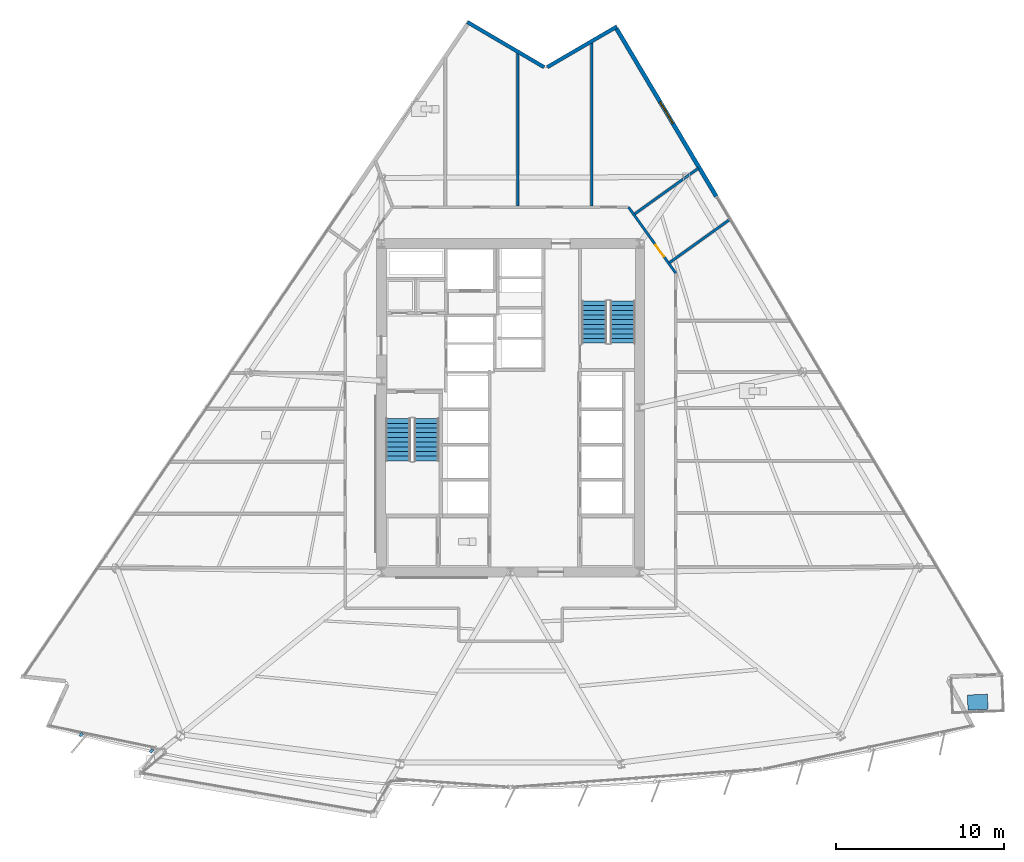
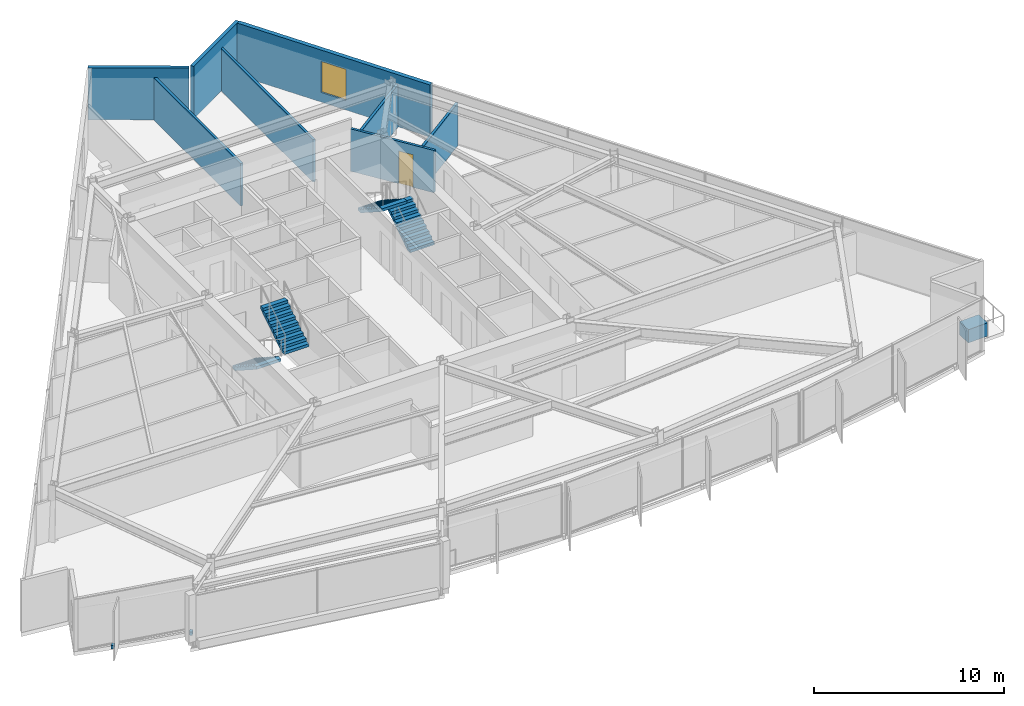
# One storey, part 11 of 17: 8 walls, 4 stair flights, 3 discrete accessories, 1 door, 1 window, 2 openings, 2 elements without a shape of their own.
"""IFC4 building model written with IfcOpenShell, lengths in metres."""

from ifc_helpers import new_model, si_unit, direction, frame, frame_2d, origin, origin_2d, place, context, subcontext, project, spatial, polyline, rectangle, outline, extrude, material, layer, layer_set, type_object, element, fill, aggregate, save


model = new_model("IFC4")

# Units and contexts
model_context = context("Model", 3, precision=1e-05, world=origin(), true_north=direction((0.0, 1.0)))
body_context = subcontext(model_context, "Body", "Model", "MODEL_VIEW")
ifc_project = project(units=[si_unit("LENGTHUNIT", "METRE"), si_unit("AREAUNIT", "SQUARE_METRE"), si_unit("VOLUMEUNIT", "CUBIC_METRE"), si_unit("PLANEANGLEUNIT", "RADIAN"), si_unit("MASSUNIT", "GRAM", prefix="KILO")], contexts=[model_context])

# Site, building, storey
site_placement = place(None, origin())
site = spatial("IfcSite", under=ifc_project, at=site_placement, CompositionType="ELEMENT")
building_placement = place(site_placement, origin())
building = spatial("IfcBuilding", under=site, at=building_placement, Name="Savorim Split Tower", CompositionType="ELEMENT")
storey_placement = place(building_placement, frame((0.0, 0.0, 58.800048828125)))
storey = spatial("IfcBuildingStorey", under=building, at=storey_placement, Name="L15", CompositionType="ELEMENT", Elevation=58.800048828125)

# Walls
ifc_material_1 = material(Name="Precast concrete C40/50", Category="concrete")
ifc_layer_1 = layer(ifc_material_1, 0.219970703125)
ifc_layer_set_1 = layer_set([ifc_layer_1], Name="WAL-EXT-CRN220")
wall_type_1 = type_object("IfcWallType", Name="WAL-EXT-CRN220", PredefinedType="SOLIDWALL", material=ifc_layer_set_1)
wall_1_placement = place(storey_placement, frame((2.193359375, 20.71337890625, 0.0), z_axis=(0.0, 0.0, 1.0), x_axis=(0.863964978951, 0.503551899159, 0.0)))
element("IfcWall", 1, at=wall_1_placement, inside=storey, type_object=wall_type_1, Name="L15 Notched Corner Facade Wall NE1", PredefinedType="SOLIDWALL", context=body_context, shape_type="SweptSolid", body=[
    extrude(rectangle(XDim=4.8046875, YDim=0.219970703125, at=frame_2d((2.40234375, 0.0))), origin(), (0.0, 0.0, 1.0), 3.349853515625),
])
wall_2_placement = place(storey_placement, frame((-2.572265625, 23.40283203125, 0.0), z_axis=(0.0, 0.0, 1.0), x_axis=(0.862137551275, -0.506674296449, 0.0)))
element("IfcWall", 2, at=wall_2_placement, inside=storey, type_object=wall_type_1, Name="L15 Notched Corner Facade Wall N", PredefinedType="SOLIDWALL", context=body_context, shape_type="SweptSolid", body=[
    extrude(rectangle(XDim=5.30712890625, YDim=0.219970703125, at=frame_2d((2.653564453125, 0.0))), origin(), (0.0, 0.0, 1.0), 3.349853515625),
])

# Wall, opening, window
ifc_layer_2 = layer(ifc_material_1, 0.25)
ifc_layer_set_2 = layer_set([ifc_layer_2], Name="WAL-EXT-SPN250")
wall_type_2 = type_object("IfcWallType", Name="WAL-EXT-SPN250", PredefinedType="SOLIDWALL", material=ifc_layer_set_2)
wall_3_placement = place(storey_placement, frame((6.327880859375, 23.006103515625, 0.0), z_axis=(0.0, 0.0, 1.0), x_axis=(0.511075811474, -0.859535639125, 0.0)))
wall_3 = element("IfcWall", 3, at=wall_3_placement, inside=storey, type_object=wall_type_2, Name="L15 East Operable Window Pier", PredefinedType="SOLIDWALL", context=body_context, shape_type="SweptSolid", body=[
    extrude(rectangle(XDim=11.645751953125, YDim=0.25, at=frame_2d((5.82275390625, 0.0))), origin(), (0.0, 0.0, 1.0), 3.349853515625),
])
opening_1_placement = place(wall_3_placement, frame((5.072998046875, 0.0, 0.6201171875)))
opening_1 = element("IfcOpeningElement", 4, at=opening_1_placement, cuts=wall_3, Name="Opening WN-06", PredefinedType="OPENING", context=body_context, shape_type="SweptSolid", body=[
    extrude(rectangle(XDim=1.5, YDim=2.0, at=frame_2d((0.75, 1.0))), frame((0.0, 0.135009765625, 0.0), z_axis=(0.0, -1.0, 0.0), x_axis=(1.0, 0.0, 0.0)), (0.0, 0.0, 1.0), 0.27001953125),
])
ifc_material_2 = material(Name="Low-E Operable Double Glazing", Category="glass")
window_type = type_object("IfcWindowType", Name="WIN-TWR-1500x2000", PartitioningType="SINGLE_PANEL", PredefinedType="WINDOW", material=ifc_material_2)
window_placement = place(opening_1_placement, origin())
window = element("IfcWindow", 5, at=window_placement, inside=storey, type_object=window_type, Name="L15 East Operable Ventilation Window", OverallHeight=2.0, OverallWidth=1.5, PartitioningType="SINGLE_PANEL", PredefinedType="WINDOW", context=body_context, shape_type="SweptSolid", body=[
    extrude(rectangle(XDim=1.5, YDim=2.0, at=frame_2d((0.75, 1.0))), frame((0.0, 0.030029296875, 0.0), z_axis=(0.0, -1.0, 0.0), x_axis=(1.0, 0.0, 0.0)), (0.0, 0.0, 1.0), 0.06005859375),
])
fill(opening_1, window)

# Wall, opening, door
ifc_material_3 = material(Name="Acoustic Gypsum Partition Board")
ifc_layer_3 = layer(ifc_material_3, 0.14990234375)
ifc_layer_set_3 = layer_set([ifc_layer_3], Name="WAL-PAR-150")
wall_type_3 = type_object("IfcWallType", Name="WAL-PAR-150", PredefinedType="PARTITIONING", material=ifc_layer_set_3)
wall_4_placement = place(storey_placement, frame((7.041015625, 12.360107421875, 0.0), z_axis=(0.0, 0.0, 1.0), x_axis=(0.582449511476, -0.812866881218, 0.0)))
wall_4 = element("IfcWall", 6, at=wall_4_placement, inside=storey, type_object=wall_type_3, Name="L15 Partition W-L15-COR-04", PredefinedType="PARTITIONING", context=body_context, shape_type="SweptSolid", body=[
    extrude(rectangle(XDim=4.840087890625, YDim=0.14990234375, at=frame_2d((2.419921875, 0.0))), origin(), (0.0, 0.0, 1.0), 2.724853515625),
])
opening_2_placement = place(wall_4_placement, frame((2.775390625, 0.0, 0.0)))
opening_2 = element("IfcOpeningElement", 7, at=opening_2_placement, cuts=wall_4, Name="Opening DI-13", PredefinedType="OPENING", context=body_context, shape_type="SweptSolid", body=[
    extrude(rectangle(XDim=0.85009765625, YDim=2.10009765625, at=frame_2d((0.425048828125, 1.050048828125))), frame((0.0, 0.0849609375, 0.0), z_axis=(0.0, -1.0, 0.0), x_axis=(1.0, 0.0, 0.0)), (0.0, 0.0, 1.0), 0.169921875),
])
ifc_material_4 = material(Name="Timber Fire Door Leaf", Category="wood")
door_type = type_object("IfcDoorType", Name="DOR-FIR-850", OperationType="NOTDEFINED", PredefinedType="DOOR", material=ifc_material_4)
door_placement = place(opening_2_placement, origin())
door = element("IfcDoor", 8, at=door_placement, inside=storey, type_object=door_type, Name="DR-L15-RM11 - L15 Maker Workshop Entry Door", OperationType="SINGLE_SWING_RIGHT", OverallHeight=2.10009765625, OverallWidth=0.85009765625, PredefinedType="DOOR", context=body_context, shape_type="SweptSolid", body=[
    extrude(rectangle(XDim=0.85009765625, YDim=2.10009765625, at=frame_2d((0.425048828125, 1.050048828125))), frame((0.0, 0.02490234375, 0.0), z_axis=(0.0, -1.0, 0.0), x_axis=(1.0, 0.0, 0.0)), (0.0, 0.0, 1.0), 0.050048828125),
])
fill(opening_2, door)

# Walls
wall_5_placement = place(storey_placement, frame((7.404052734375, 11.95654296875, 0.0), z_axis=(0.0, 0.0, 1.0), x_axis=(0.812874232522, 0.582439251856, 0.0)))
element("IfcWall", 9, at=wall_5_placement, inside=storey, type_object=wall_type_3, Name="L15 Partition W-L15-PRAD07", PredefinedType="PARTITIONING", context=body_context, shape_type="SweptSolid", body=[
    extrude(rectangle(XDim=4.689208984375, YDim=0.14990234375, at=frame_2d((2.3447265625, 0.0))), origin(), (0.0, 0.0, 1.0), 2.724853515625),
])
wall_6_placement = place(storey_placement, frame((9.484619140625, 9.052490234375, 0.0), z_axis=(0.0, 0.0, 1.0), x_axis=(0.812874691843, 0.582438610809, 0.0)))
element("IfcWall", 10, at=wall_6_placement, inside=storey, type_object=wall_type_3, Name="L15 Partition W-L15-SUB03", PredefinedType="PARTITIONING", context=body_context, shape_type="SweptSolid", body=[
    extrude(rectangle(XDim=4.384033203125, YDim=0.14990234375, at=frame_2d((2.19189453125, 0.0))), origin(), (0.0, 0.0, 1.0), 2.73486328125),
])
wall_7_placement = place(storey_placement, frame((0.4326171875, 12.419921875, 0.0), z_axis=(0.0, 0.0, 1.0), x_axis=(0.0, 1.0, 0.0)))
element("IfcWall", 11, at=wall_7_placement, inside=storey, type_object=wall_type_3, Name="L15 Partition W-L15-SUB04", PredefinedType="PARTITIONING", context=body_context, shape_type="SweptSolid", body=[
    extrude(rectangle(XDim=9.158935546875, YDim=0.14990234375, at=frame_2d((4.57958984375, 0.0))), origin(), (0.0, 0.0, 1.0), 2.73486328125),
])
wall_8_placement = place(storey_placement, frame((4.83642578125, 12.419921875, 0.0), z_axis=(0.0, 0.0, 1.0), x_axis=(0.0, 1.0, 0.0)))
element("IfcWall", 12, at=wall_8_placement, inside=storey, type_object=wall_type_3, Name="L15 Partition W-L15-SUB11", PredefinedType="PARTITIONING", context=body_context, shape_type="SweptSolid", body=[
    extrude(rectangle(XDim=9.776123046875, YDim=0.14990234375, at=frame_2d((4.88818359375, 0.0))), origin(), (0.0, 0.0, 1.0), 2.73486328125),
])

# Stair, stair flights
ifc_material_5 = material(Name="Concrete C50/60", Category="concrete")
stair_type = type_object("IfcStairType", Name="STR-DOG-3600", PredefinedType="HALF_TURN_STAIR", material=ifc_material_5)
stair_1_placement = place(storey_placement, origin())
stair_1 = element("IfcStair", 13, at=stair_1_placement, inside=storey, type_object=stair_type, Name="L15 Core Protected Exit Stair ST-1", PredefinedType="HALF_TURN_STAIR")
stair_flight_type = type_object("IfcStairFlightType", Name="SFL-DOG-3600", PredefinedType="STRAIGHT", material=ifc_material_5)
stair_flight_1_placement = place(storey_placement, frame((-6.699951171875, -0.25, 0.0), z_axis=(0.0, 0.0, 1.0), x_axis=(0.0, -1.0, 0.0)))
stair_flight_1 = element("IfcStairFlight", 14, at=stair_flight_1_placement, type_object=stair_flight_type, Name="ST-1 flight 1", NumberOfRisers=10, NumberOfTreads=9, PredefinedType="STRAIGHT", RiserHeight=0.18, TreadLength=0.28, context=body_context, shape_type="SweptSolid", body=[
    extrude(outline(polyline([(0.0, 0.0), (0.0, 0.179931640625), (0.280029296875, 0.179931640625), (0.280029296875, 0.360107421875), (0.56005859375, 0.360107421875), (0.56005859375, 0.5400390625), (0.840087890625, 0.5400390625), (0.840087890625, 0.719970703125), (1.1201171875, 0.719970703125), (1.1201171875, 0.89990234375), (1.39990234375, 0.89990234375), (1.39990234375, 1.080078125), (1.679931640625, 1.080078125), (1.679931640625, 1.260009765625), (1.9599609375, 1.260009765625), (1.9599609375, 1.43994140625), (2.239990234375, 1.43994140625), (2.239990234375, 1.6201171875), (2.52001953125, 1.6201171875), (2.52001953125, 1.800048828125), (2.52001953125, 1.44189453125), (0.277099609375, 0.0), (0.0, 0.0)])), frame((0.0, 0.75, 0.0), z_axis=(0.0, -1.0, 0.0), x_axis=(1.0, 0.0, 0.0)), (0.0, 0.0, 1.0), 1.5),
])
stair_flight_2_placement = place(storey_placement, frame((-5.0, -2.77001953125, 1.800048828125), z_axis=(0.0, 0.0, 1.0), x_axis=(0.0, 1.0, 0.0)))
stair_flight_2 = element("IfcStairFlight", 15, at=stair_flight_2_placement, type_object=stair_flight_type, Name="ST-1 flight 2", NumberOfRisers=10, NumberOfTreads=9, PredefinedType="STRAIGHT", RiserHeight=0.18, TreadLength=0.28, context=body_context, shape_type="SweptSolid", body=[
    extrude(outline(polyline([(0.0, 0.0), (0.0, 0.179931640625), (0.280029296875, 0.179931640625), (0.280029296875, 0.360107421875), (0.56005859375, 0.360107421875), (0.56005859375, 0.5400390625), (0.840087890625, 0.5400390625), (0.840087890625, 0.719970703125), (1.1201171875, 0.719970703125), (1.1201171875, 0.89990234375), (1.39990234375, 0.89990234375), (1.39990234375, 1.080078125), (1.679931640625, 1.080078125), (1.679931640625, 1.260009765625), (1.9599609375, 1.260009765625), (1.9599609375, 1.43994140625), (2.239990234375, 1.43994140625), (2.239990234375, 1.6201171875), (2.52001953125, 1.6201171875), (2.52001953125, 1.800048828125), (2.52001953125, 1.44189453125), (0.277099609375, 0.0), (0.0, 0.0)])), frame((0.0, 0.75, 0.0), z_axis=(0.0, -1.0, 0.0), x_axis=(1.0, 0.0, 0.0)), (0.0, 0.0, 1.0), 1.5),
])
aggregate(stair_1, [stair_flight_1, stair_flight_2])

stair_2_placement = place(storey_placement, origin())
stair_2 = element("IfcStair", 16, at=stair_2_placement, inside=storey, type_object=stair_type, Name="L15 Core Protected Exit Stair ST-2", PredefinedType="HALF_TURN_STAIR")
stair_flight_3_placement = place(storey_placement, frame((6.699951171875, 4.25, 0.0), z_axis=(0.0, 0.0, 1.0), x_axis=(0.0, 1.0, 0.0)))
stair_flight_3 = element("IfcStairFlight", 17, at=stair_flight_3_placement, type_object=stair_flight_type, Name="ST-2 flight 1", NumberOfRisers=10, NumberOfTreads=9, PredefinedType="STRAIGHT", RiserHeight=0.18, TreadLength=0.28, context=body_context, shape_type="SweptSolid", body=[
    extrude(outline(polyline([(0.0, 0.0), (0.0, 0.179931640625), (0.280029296875, 0.179931640625), (0.280029296875, 0.360107421875), (0.56005859375, 0.360107421875), (0.56005859375, 0.5400390625), (0.840087890625, 0.5400390625), (0.840087890625, 0.719970703125), (1.1201171875, 0.719970703125), (1.1201171875, 0.89990234375), (1.39990234375, 0.89990234375), (1.39990234375, 1.080078125), (1.679931640625, 1.080078125), (1.679931640625, 1.260009765625), (1.9599609375, 1.260009765625), (1.9599609375, 1.43994140625), (2.239990234375, 1.43994140625), (2.239990234375, 1.6201171875), (2.52001953125, 1.6201171875), (2.52001953125, 1.800048828125), (2.52001953125, 1.44189453125), (0.277099609375, 0.0), (0.0, 0.0)])), frame((0.0, 0.75, 0.0), z_axis=(0.0, -1.0, 0.0), x_axis=(1.0, 0.0, 0.0)), (0.0, 0.0, 1.0), 1.5),
])
stair_flight_4_placement = place(storey_placement, frame((5.0, 6.77001953125, 1.800048828125), z_axis=(0.0, 0.0, 1.0), x_axis=(0.0, -1.0, 0.0)))
stair_flight_4 = element("IfcStairFlight", 18, at=stair_flight_4_placement, type_object=stair_flight_type, Name="ST-2 flight 2", NumberOfRisers=10, NumberOfTreads=9, PredefinedType="STRAIGHT", RiserHeight=0.18, TreadLength=0.28, context=body_context, shape_type="SweptSolid", body=[
    extrude(outline(polyline([(0.0, 0.0), (0.0, 0.179931640625), (0.280029296875, 0.179931640625), (0.280029296875, 0.360107421875), (0.56005859375, 0.360107421875), (0.56005859375, 0.5400390625), (0.840087890625, 0.5400390625), (0.840087890625, 0.719970703125), (1.1201171875, 0.719970703125), (1.1201171875, 0.89990234375), (1.39990234375, 0.89990234375), (1.39990234375, 1.080078125), (1.679931640625, 1.080078125), (1.679931640625, 1.260009765625), (1.9599609375, 1.260009765625), (1.9599609375, 1.43994140625), (2.239990234375, 1.43994140625), (2.239990234375, 1.6201171875), (2.52001953125, 1.6201171875), (2.52001953125, 1.800048828125), (2.52001953125, 1.44189453125), (0.277099609375, 0.0), (0.0, 0.0)])), frame((0.0, 0.75, 0.0), z_axis=(0.0, -1.0, 0.0), x_axis=(1.0, 0.0, 0.0)), (0.0, 0.0, 1.0), 1.5),
])
aggregate(stair_2, [stair_flight_3, stair_flight_4])

# Discrete accessories
ifc_material_6 = material(Name="Steel S355", Category="steel")
discrete_accessory_type_1 = type_object("IfcDiscreteAccessoryType", Name="ACC-BRK-FIN", PredefinedType="BRACKET", material=ifc_material_6)
for number, where, z_axis, x_axis, name in (
    (19, (-25.611572265625, -19.10986328125, -0.18994140625), (0.0, 0.0, 1.0), (-0.643719022682, -0.765261928909, 0.0), "L15 Fin Slab-Edge Cleat Bracket 01"),
    (20, (-21.408935546875, -20.072265625, -0.18994140625), (0.0, 0.0, 1.0), (-0.611868076908, -0.790959832394, 0.0), "L15 Fin Slab-Edge Cleat Bracket 02"),
):
    element("IfcDiscreteAccessory", number, at=place(storey_placement, frame(where, z_axis=z_axis, x_axis=x_axis)), inside=storey, type_object=discrete_accessory_type_1, Name=name, PredefinedType="BRACKET", context=body_context, shape_type="SweptSolid", body=[
        extrude(rectangle(XDim=0.239990234375, YDim=0.159912109375, at=origin_2d()), origin(), (0.0, 0.0, 1.0), 0.219970703125),
    ])
ifc_material_7 = material(Name="Architectural Precast Planter Concrete C40/50", Category="concrete")
discrete_accessory_type_2 = type_object("IfcDiscreteAccessoryType", Name="ACC-PLN-TREE", PredefinedType="USERDEFINED", material=ifc_material_7)
discrete_accessory_placement = place(storey_placement, frame((27.86669921875, -17.15966796875, 0.0), z_axis=(0.0, 0.0, 1.0), x_axis=(0.999096914995, 0.04248946279, 0.0)))
element("IfcDiscreteAccessory", 21, at=discrete_accessory_placement, inside=storey, type_object=discrete_accessory_type_2, Name="L15 Balcony Precast Tree Planter SE", ObjectType="PLANTER", PredefinedType="USERDEFINED", context=body_context, shape_type="SweptSolid", body=[
    extrude(rectangle(XDim=1.199951171875, YDim=0.89990234375, at=origin_2d()), origin(), (0.0, 0.0, 1.0), 0.85009765625),
])

save(model, "model.ifc")
